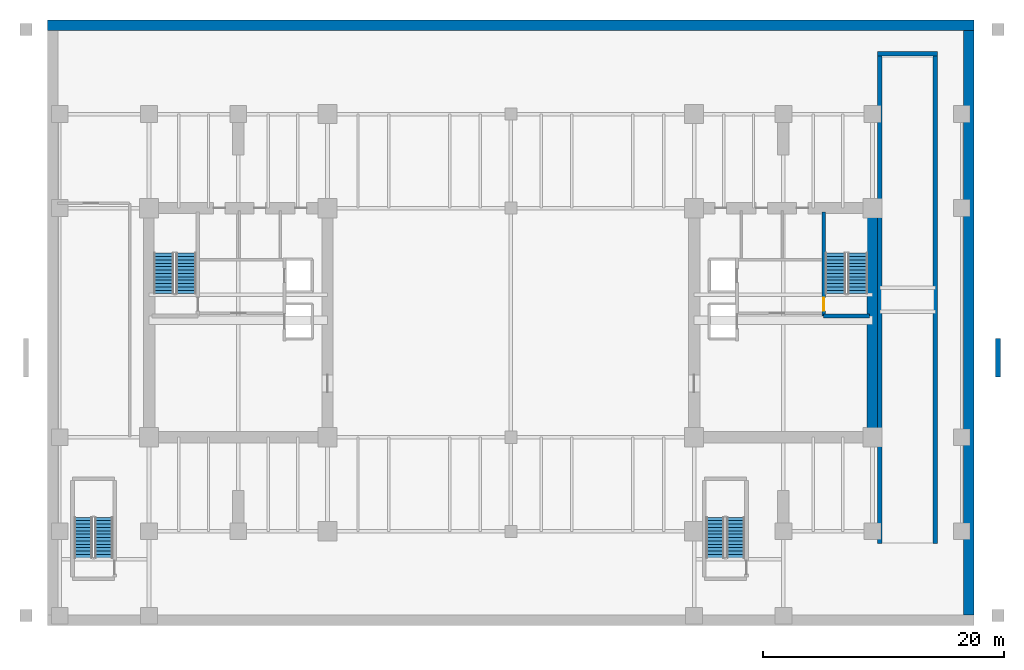
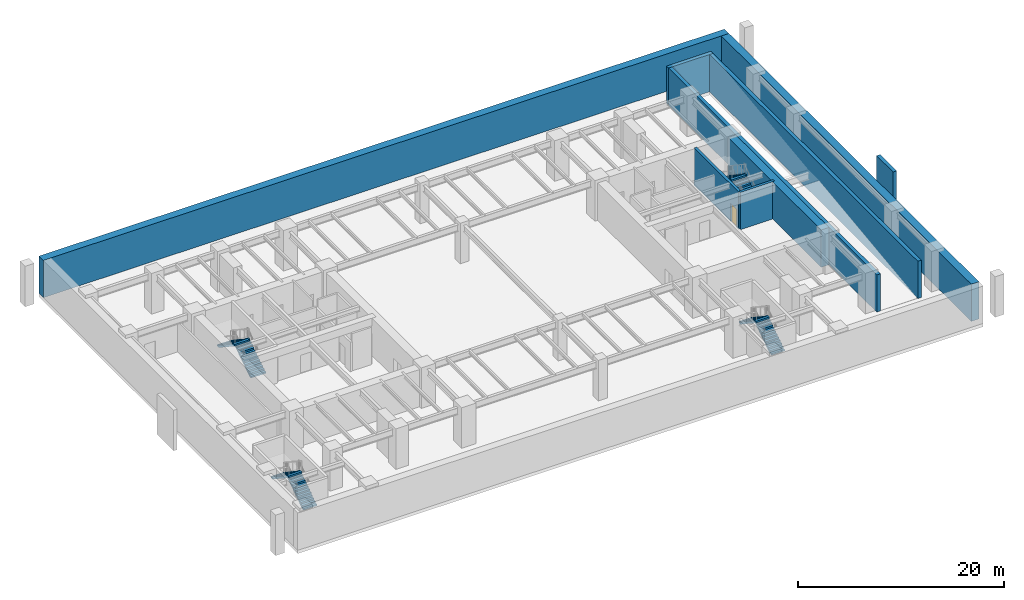
# One storey, part 4 of 6: 9 walls, 8 stair flights, 1 door, 1 opening, 4 elements without a shape of their own.
"""IFC4 building model written with IfcOpenShell, lengths in metres."""

from ifc_helpers import new_model, si_unit, direction, frame, frame_2d, origin, place, context, subcontext, project, spatial, polyline, rectangle, outline, extrude, source, transform, mapped, material, layer, layer_set, type_object, type_shapes, element, fill, aggregate, save


model = new_model("IFC4")

# Units and contexts
model_context = context("Model", 3, precision=1e-05, world=origin(), true_north=direction((0.0, 1.0)))
body_context = subcontext(model_context, "Body", "Model", "MODEL_VIEW")
ifc_project = project(units=[si_unit("LENGTHUNIT", "METRE"), si_unit("AREAUNIT", "SQUARE_METRE"), si_unit("VOLUMEUNIT", "CUBIC_METRE"), si_unit("PLANEANGLEUNIT", "RADIAN"), si_unit("MASSUNIT", "GRAM", prefix="KILO")], contexts=[model_context])

# Site, building, storey
site_placement = place(None, origin())
site = spatial("IfcSite", under=ifc_project, at=site_placement, CompositionType="ELEMENT")
building_placement = place(site_placement, origin())
building = spatial("IfcBuilding", under=site, at=building_placement, Name="Haelvirn Gate Laboratories", CompositionType="ELEMENT")
storey_placement = place(building_placement, frame((0.0, 0.0, -9.60009765625)))
storey = spatial("IfcBuildingStorey", under=building, at=storey_placement, Name="B2", CompositionType="ELEMENT", Elevation=-9.60009765625)

# Walls
ifc_material_1 = material(Name="Concrete C70/85", Category="concrete")
ifc_layer_1 = layer(ifc_material_1, 0.949951171875, Name="SW-CORE-950")
ifc_layer_set_1 = layer_set([ifc_layer_1], Name="Concrete C70/85")
wall_type_1 = type_object("IfcWallType", Name="SW-CORE-950", PredefinedType="SHEAR", material=ifc_layer_set_1)
wall_1_placement = place(storey_placement, frame((67.39990234375, 15.27490234375, 0.0), z_axis=(0.0, 0.0, 1.0), x_axis=(0.0, 1.0, 0.0)))
element("IfcWall", 1, at=wall_1_placement, inside=storey, type_object=wall_type_1, Name="B2 E Core Shear Wall E", PredefinedType="SHEAR", context=body_context, shape_type="SweptSolid", body=[
    extrude(rectangle(XDim=18.050048828125, YDim=0.949951171875, at=frame_2d((9.02490234375, 0.0))), origin(), (0.0, 0.0, 1.0), 4.420166015625),
])
ifc_material_2 = material(Name="Concrete C50/60", Category="concrete")
ifc_layer_2 = layer(ifc_material_2, 0.39990234375, Name="SW-PLINTH-400")
ifc_layer_set_2 = layer_set([ifc_layer_2], Name="Concrete C50/60")
wall_type_2 = type_object("IfcWallType", Name="SW-PLINTH-400", PredefinedType="SOLIDWALL", material=ifc_layer_set_2)
wall_2_placement = place(storey_placement, frame((77.800048828125, 19.800048828125, 0.0), z_axis=(0.0, 0.0, 1.0), x_axis=(0.0, 1.0, 0.0)))
element("IfcWall", 2, at=wall_2_placement, inside=storey, type_object=wall_type_2, Name="B2 East Accessible Ramp Plinth Wall", PredefinedType="SOLIDWALL", context=body_context, shape_type="SweptSolid", body=[
    extrude(rectangle(XDim=3.199951171875, YDim=0.39990234375, at=frame_2d((1.60009765625, 0.0))), origin(), (0.0, 0.0, 1.0), 4.800048828125),
])
ifc_layer_3 = layer(ifc_material_2, 0.39990234375, Name="SW-RAMP-400")
ifc_layer_set_3 = layer_set([ifc_layer_3], Name="Concrete C50/60")
wall_type_3 = type_object("IfcWallType", Name="SW-RAMP-400", PredefinedType="SHEAR", material=ifc_layer_set_3)
for number, where, z_axis, x_axis, name in (
    (3, (68.0, 6.0, 0.0), (0.0, 0.0, 1.0), (0.0, 1.0, 0.0), "B2 Vehicle Ramp Enclosure Wall W"),
    (4, (72.60009765625, 6.0, 0.0), (0.0, 0.0, 1.0), (0.0, 1.0, 0.0), "B2 Vehicle Ramp Enclosure Wall E"),
):
    element("IfcWall", number, at=place(storey_placement, frame(where, z_axis=z_axis, x_axis=x_axis)), inside=storey, type_object=wall_type_3, Name=name, PredefinedType="SHEAR", context=body_context, shape_type="SweptSolid", body=[
        extrude(rectangle(XDim=40.39990234375, YDim=0.39990234375, at=frame_2d((20.199951171875, 0.0))), origin(), (0.0, 0.0, 1.0), 4.420166015625),
    ])
wall_3_placement = place(storey_placement, frame((67.800048828125, 46.60009765625, 0.0), z_axis=(0.0, 0.0, 1.0), x_axis=(1.0, 0.0, 0.0)))
element("IfcWall", 5, at=wall_3_placement, inside=storey, type_object=wall_type_3, Name="B2 Vehicle Ramp Headwall North", PredefinedType="SHEAR", context=body_context, shape_type="SweptSolid", body=[
    extrude(rectangle(XDim=5.0, YDim=0.39990234375, at=frame_2d((2.5, 0.0))), origin(), (0.0, 0.0, 1.0), 4.420166015625),
])
ifc_layer_4 = layer(ifc_material_2, 0.85009765625, Name="SW-RET-850")
ifc_layer_set_4 = layer_set([ifc_layer_4], Name="Concrete C50/60")
wall_type_4 = type_object("IfcWallType", Name="SW-RET-850", PredefinedType="SOLIDWALL", material=ifc_layer_set_4)
wall_4_placement = place(storey_placement, frame((-1.0, 48.97509765625, 0.0), z_axis=(0.0, 0.0, 1.0), x_axis=(1.0, 0.0, 0.0)))
element("IfcWall", 6, at=wall_4_placement, inside=storey, type_object=wall_type_4, Name="B2 Perimeter Diaphragm Wall N", PredefinedType="SOLIDWALL", context=body_context, shape_type="SweptSolid", body=[
    extrude(rectangle(XDim=76.800048828125, YDim=0.85009765625, at=frame_2d((38.39990234375, 0.0))), origin(), (0.0, 0.0, 1.0), 4.420166015625),
])
wall_5_placement = place(storey_placement, frame((75.375, 0.050048828125, 0.0), z_axis=(0.0, 0.0, 1.0), x_axis=(0.0, 1.0, 0.0)))
element("IfcWall", 7, at=wall_5_placement, inside=storey, type_object=wall_type_4, Name="B2 Perimeter Diaphragm Wall E", PredefinedType="SOLIDWALL", context=body_context, shape_type="SweptSolid", body=[
    extrude(rectangle(XDim=48.5, YDim=0.85009765625, at=frame_2d((24.25, 0.0))), origin(), (0.0, 0.0, 1.0), 4.420166015625),
])

# Wall, opening, door
ifc_layer_5 = layer(ifc_material_2, 0.300048828125, Name="SW-STAIR-300")
ifc_layer_set_5 = layer_set([ifc_layer_5], Name="Concrete C50/60")
wall_type_5 = type_object("IfcWallType", Name="SW-STAIR-300", PredefinedType="SHEAR", material=ifc_layer_set_5)
wall_6_placement = place(storey_placement, frame((63.35009765625, 24.85009765625, 0.0), z_axis=(0.0, 0.0, 1.0), x_axis=(0.0, 1.0, 0.0)))
wall_6 = element("IfcWall", 8, at=wall_6_placement, inside=storey, type_object=wall_type_5, Name="B2 E Core Stair Shaft Structural Wall IN", PredefinedType="SHEAR", context=body_context, shape_type="SweptSolid", body=[
    extrude(rectangle(XDim=8.6298828125, YDim=0.300048828125, at=frame_2d((4.31494140625, 0.0))), origin(), (0.0, 0.0, 1.0), 4.420166015625),
])
opening_placement = place(wall_6_placement, frame((0.419921875, 0.0, 0.0)))
opening = element("IfcOpeningElement", 9, at=opening_placement, cuts=wall_6, Name="Opening FD3", PredefinedType="OPENING", context=body_context, shape_type="SweptSolid", body=[
    extrude(rectangle(XDim=1.10009765625, YDim=2.14990234375, at=frame_2d((0.550048828125, 1.074951171875))), frame((0.0, 0.16015625, 0.0), z_axis=(0.0, -1.0, 0.0), x_axis=(1.0, 0.0, 0.0)), (0.0, 0.0, 1.0), 0.320068359375),
])
ifc_material_3 = material(Name="Fire-rated steel SM355 escape stair door", Category="steel")
door_type = type_object("IfcDoorType", Name="DR-FD-1100", OperationType="NOTDEFINED", PredefinedType="DOOR", material=ifc_material_3)
shared_shape_1 = source(origin(), body_context, "Body", "SweptSolid", [
    extrude(rectangle(XDim=1.10009765625, YDim=2.14990234375, at=frame_2d((0.550048828125, 1.074951171875))), frame((0.0, 0.02490234375, 0.0), z_axis=(0.0, -1.0, 0.0), x_axis=(1.0, 0.0, 0.0)), (0.0, 0.0, 1.0), 0.050048828125),
])
type_shapes(door_type, [shared_shape_1])
door_placement = place(opening_placement, origin())
door = element("IfcDoor", 10, at=door_placement, inside=storey, type_object=door_type, Name="B2 Escape Stair ST2 Fire Door", OperationType="SINGLE_SWING_RIGHT", OverallHeight=2.14990234375, OverallWidth=1.10009765625, PredefinedType="DOOR", context=body_context, shape_type="MappedRepresentation", body=[
    mapped(shared_shape_1, transform((0.0, 0.0, 0.0), scale=1.0)),
])
fill(opening, door)

# Wall
wall_7_placement = place(storey_placement, frame((63.35009765625, 24.85009765625, 0.0), z_axis=(0.0, 0.0, 1.0), x_axis=(1.0, 0.0, 0.0)))
element("IfcWall", 11, at=wall_7_placement, inside=storey, type_object=wall_type_5, Name="B2 E Core Stair Shaft Structural Wall S", PredefinedType="SHEAR", context=body_context, shape_type="SweptSolid", body=[
    extrude(rectangle(XDim=3.7998046875, YDim=0.300048828125, at=frame_2d((1.89990234375, 0.0))), origin(), (0.0, 0.0, 1.0), 4.420166015625),
])

# Stair, stair flights
ifc_material_4 = material(Name="Concrete C40/50", Category="concrete")
stair_type_1 = type_object("IfcStairType", Name="ST-DOG-1650-R26", PredefinedType="HALF_TURN_STAIR", material=ifc_material_4)
stair_1_placement = place(storey_placement, origin())
stair_1 = element("IfcStair", 12, at=stair_1_placement, inside=storey, type_object=stair_type_1, Name="B2 Escape Stair ST1", PredefinedType="HALF_TURN_STAIR")
stair_flight_type_1 = type_object("IfcStairFlightType", Name="STF-1650-R13", PredefinedType="STRAIGHT", material=ifc_material_4)
shared_shape_2 = source(origin(), body_context, "Body", "SweptSolid", [
    extrude(outline(polyline([(0.0, 0.0), (0.0, 0.1845703125), (0.280029296875, 0.1845703125), (0.280029296875, 0.369140625), (0.56005859375, 0.369140625), (0.56005859375, 0.553955078125), (0.840087890625, 0.553955078125), (0.840087890625, 0.738525390625), (1.1201171875, 0.738525390625), (1.1201171875, 0.923095703125), (1.39990234375, 0.923095703125), (1.39990234375, 1.107666015625), (1.679931640625, 1.107666015625), (1.679931640625, 1.292236328125), (1.9599609375, 1.292236328125), (1.9599609375, 1.476806640625), (2.239990234375, 1.476806640625), (2.239990234375, 1.66162109375), (2.52001953125, 1.66162109375), (2.52001953125, 1.84619140625), (2.800048828125, 1.84619140625), (2.800048828125, 2.03076171875), (3.080078125, 2.03076171875), (3.080078125, 2.21533203125), (3.360107421875, 2.21533203125), (3.360107421875, 2.39990234375), (3.360107421875, 2.02392578125), (0.29052734375, 0.0), (0.0, 0.0)])), frame((0.0, 0.824951171875, 0.0), z_axis=(0.0, -1.0, 0.0), x_axis=(1.0, 0.0, 0.0)), (0.0, 0.0, 1.0), 1.64990234375),
])
type_shapes(stair_flight_type_1, [shared_shape_2])
stair_flight_1_placement = place(storey_placement, frame((10.47509765625, 26.699951171875, 0.0), z_axis=(0.0, 0.0, 1.0), x_axis=(0.0, 1.0, 0.0)))
stair_flight_1 = element("IfcStairFlight", 13, at=stair_flight_1_placement, type_object=stair_flight_type_1, Name="ST1 flight 1", NumberOfRisers=13, NumberOfTreads=12, PredefinedType="STRAIGHT", RiserHeight=0.184615385, TreadLength=0.28, context=body_context, shape_type="MappedRepresentation", body=[
    mapped(shared_shape_2, transform((0.0, 0.0, 0.0), scale=1.0)),
])
stair_flight_2_placement = place(storey_placement, frame((8.625, 30.06005859375, 2.400146484375), z_axis=(0.0, 0.0, 1.0), x_axis=(0.0, -1.0, 0.0)))
stair_flight_2 = element("IfcStairFlight", 14, at=stair_flight_2_placement, type_object=stair_flight_type_1, Name="ST1 flight 2", NumberOfRisers=13, NumberOfTreads=12, PredefinedType="STRAIGHT", RiserHeight=0.184615385, TreadLength=0.28, context=body_context, shape_type="MappedRepresentation", body=[
    mapped(shared_shape_2, transform((0.0, 0.0, 0.0), scale=1.0)),
])
aggregate(stair_1, [stair_flight_1, stair_flight_2])

stair_2_placement = place(storey_placement, origin())
stair_2 = element("IfcStair", 15, at=stair_2_placement, inside=storey, type_object=stair_type_1, Name="B2 Escape Stair ST2", PredefinedType="HALF_TURN_STAIR")
stair_flight_3_placement = place(storey_placement, frame((66.175048828125, 26.699951171875, 0.0), z_axis=(0.0, 0.0, 1.0), x_axis=(0.0, 1.0, 0.0)))
stair_flight_3 = element("IfcStairFlight", 16, at=stair_flight_3_placement, type_object=stair_flight_type_1, Name="ST2 flight 1", NumberOfRisers=13, NumberOfTreads=12, PredefinedType="STRAIGHT", RiserHeight=0.184615385, TreadLength=0.28, context=body_context, shape_type="MappedRepresentation", body=[
    mapped(shared_shape_2, transform((0.0, 0.0, 0.0), scale=1.0)),
])
stair_flight_4_placement = place(storey_placement, frame((64.324951171875, 30.06005859375, 2.400146484375), z_axis=(0.0, 0.0, 1.0), x_axis=(0.0, -1.0, 0.0)))
stair_flight_4 = element("IfcStairFlight", 17, at=stair_flight_4_placement, type_object=stair_flight_type_1, Name="ST2 flight 2", NumberOfRisers=13, NumberOfTreads=12, PredefinedType="STRAIGHT", RiserHeight=0.184615385, TreadLength=0.28, context=body_context, shape_type="MappedRepresentation", body=[
    mapped(shared_shape_2, transform((0.0, 0.0, 0.0), scale=1.0)),
])
aggregate(stair_2, [stair_flight_3, stair_flight_4])

stair_type_2 = type_object("IfcStairType", Name="ST-DOG-1500-R26", PredefinedType="HALF_TURN_STAIR", material=ifc_material_4)
stair_3_placement = place(storey_placement, origin())
stair_3 = element("IfcStair", 18, at=stair_3_placement, inside=storey, type_object=stair_type_2, Name="B2 Escape Stair ST3", PredefinedType="HALF_TURN_STAIR")
stair_flight_type_2 = type_object("IfcStairFlightType", Name="STF-1500-R13", PredefinedType="STRAIGHT", material=ifc_material_4)
shared_shape_3 = source(origin(), body_context, "Body", "SweptSolid", [
    extrude(outline(polyline([(0.0, 0.0), (0.0, 0.1845703125), (0.280029296875, 0.1845703125), (0.280029296875, 0.369140625), (0.56005859375, 0.369140625), (0.56005859375, 0.553955078125), (0.840087890625, 0.553955078125), (0.840087890625, 0.738525390625), (1.1201171875, 0.738525390625), (1.1201171875, 0.923095703125), (1.39990234375, 0.923095703125), (1.39990234375, 1.107666015625), (1.679931640625, 1.107666015625), (1.679931640625, 1.292236328125), (1.9599609375, 1.292236328125), (1.9599609375, 1.476806640625), (2.239990234375, 1.476806640625), (2.239990234375, 1.66162109375), (2.52001953125, 1.66162109375), (2.52001953125, 1.84619140625), (2.800048828125, 1.84619140625), (2.800048828125, 2.03076171875), (3.080078125, 2.03076171875), (3.080078125, 2.21533203125), (3.360107421875, 2.21533203125), (3.360107421875, 2.39990234375), (3.360107421875, 2.02392578125), (0.29052734375, 0.0), (0.0, 0.0)])), frame((0.0, 0.75, 0.0), z_axis=(0.0, -1.0, 0.0), x_axis=(1.0, 0.0, 0.0)), (0.0, 0.0, 1.0), 1.5),
])
type_shapes(stair_flight_type_2, [shared_shape_3])
stair_flight_5_placement = place(storey_placement, frame((3.64990234375, 4.800048828125, 0.0), z_axis=(0.0, 0.0, 1.0), x_axis=(0.0, 1.0, 0.0)))
stair_flight_5 = element("IfcStairFlight", 19, at=stair_flight_5_placement, type_object=stair_flight_type_2, Name="ST3 flight 1", NumberOfRisers=13, NumberOfTreads=12, PredefinedType="STRAIGHT", RiserHeight=0.184615385, TreadLength=0.28, context=body_context, shape_type="MappedRepresentation", body=[
    mapped(shared_shape_3, transform((0.0, 0.0, 0.0), scale=1.0)),
])
stair_flight_6_placement = place(storey_placement, frame((1.949951171875, 8.159912109375, 2.400146484375), z_axis=(0.0, 0.0, 1.0), x_axis=(0.0, -1.0, 0.0)))
stair_flight_6 = element("IfcStairFlight", 20, at=stair_flight_6_placement, type_object=stair_flight_type_2, Name="ST3 flight 2", NumberOfRisers=13, NumberOfTreads=12, PredefinedType="STRAIGHT", RiserHeight=0.184615385, TreadLength=0.28, context=body_context, shape_type="MappedRepresentation", body=[
    mapped(shared_shape_3, transform((0.0, 0.0, 0.0), scale=1.0)),
])
aggregate(stair_3, [stair_flight_5, stair_flight_6])

stair_4_placement = place(storey_placement, origin())
stair_4 = element("IfcStair", 21, at=stair_4_placement, inside=storey, type_object=stair_type_2, Name="B2 Escape Stair ST4", PredefinedType="HALF_TURN_STAIR")
stair_flight_7_placement = place(storey_placement, frame((56.050048828125, 4.800048828125, 0.0), z_axis=(0.0, 0.0, 1.0), x_axis=(0.0, 1.0, 0.0)))
stair_flight_7 = element("IfcStairFlight", 22, at=stair_flight_7_placement, type_object=stair_flight_type_2, Name="ST4 flight 1", NumberOfRisers=13, NumberOfTreads=12, PredefinedType="STRAIGHT", RiserHeight=0.184615385, TreadLength=0.28, context=body_context, shape_type="MappedRepresentation", body=[
    mapped(shared_shape_3, transform((0.0, 0.0, 0.0), scale=1.0)),
])
stair_flight_8_placement = place(storey_placement, frame((54.35009765625, 8.159912109375, 2.400146484375), z_axis=(0.0, 0.0, 1.0), x_axis=(0.0, -1.0, 0.0)))
stair_flight_8 = element("IfcStairFlight", 23, at=stair_flight_8_placement, type_object=stair_flight_type_2, Name="ST4 flight 2", NumberOfRisers=13, NumberOfTreads=12, PredefinedType="STRAIGHT", RiserHeight=0.184615385, TreadLength=0.28, context=body_context, shape_type="MappedRepresentation", body=[
    mapped(shared_shape_3, transform((0.0, 0.0, 0.0), scale=1.0)),
])
aggregate(stair_4, [stair_flight_7, stair_flight_8])

save(model, "model.ifc")
